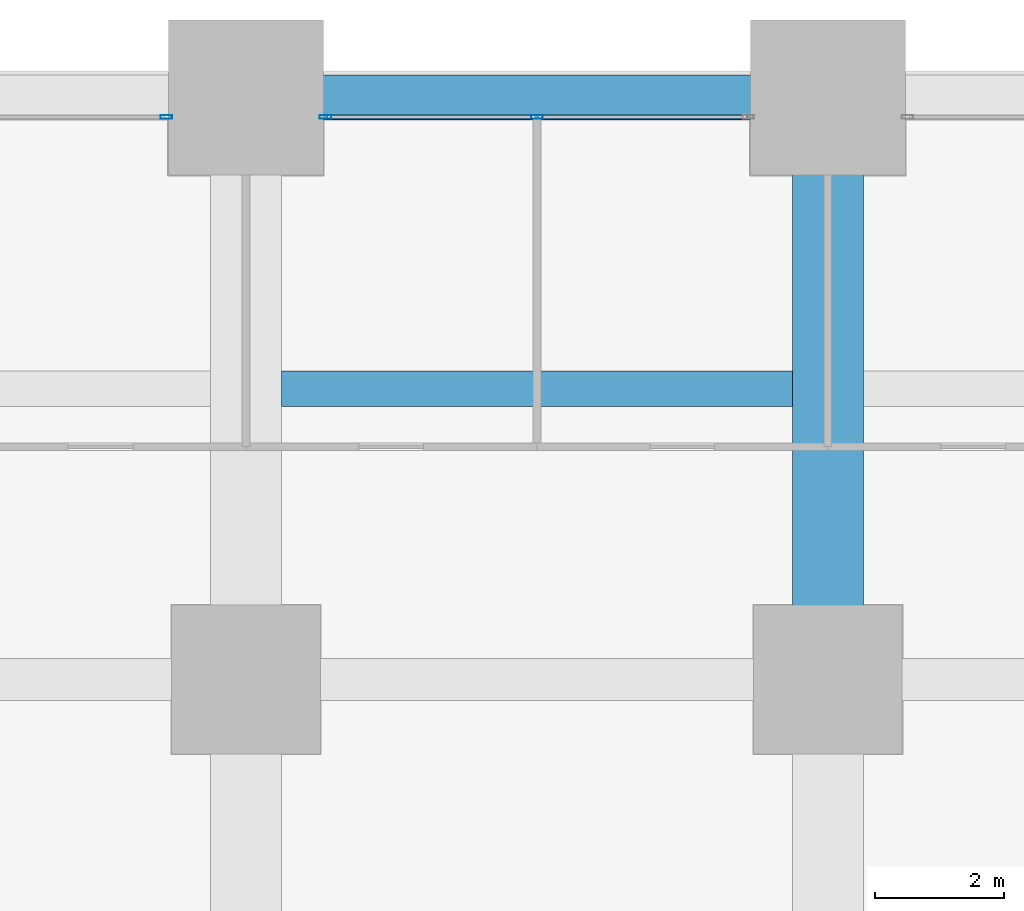
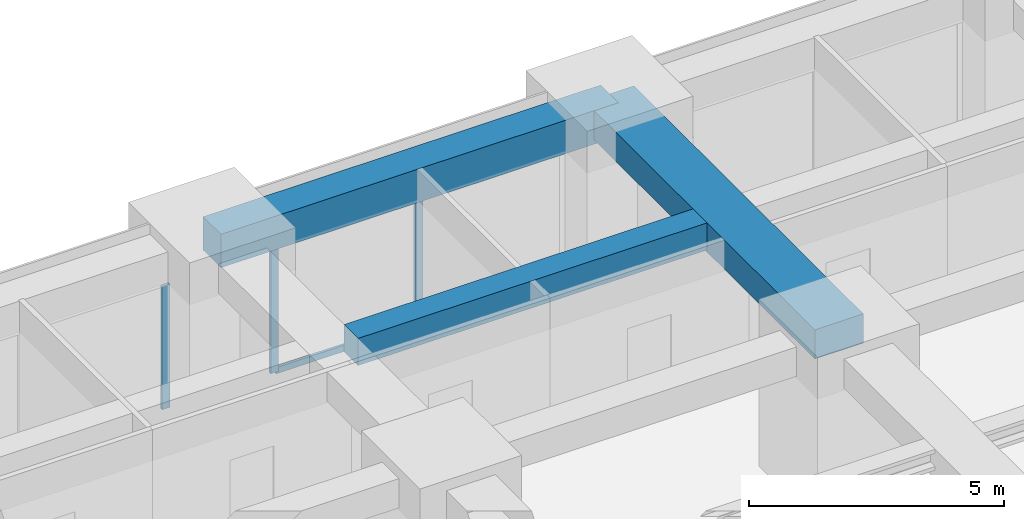
# One storey, part 29 of 44: 4 members, 3 beams, 2 elements without a shape of their own.
"""IFC4 building model written with IfcOpenShell, lengths in metres."""

from ifc_helpers import new_model, si_unit, direction, frame, origin, origin_2d, place, context, subcontext, project, spatial, rectangle, hollow_rectangle, extrude, material, material_profile, profile_set, type_object, element, aggregate, save


model = new_model("IFC4")

# Units and contexts
model_context = context("Model", 3, precision=1e-05, world=origin(), true_north=direction((0.0, 1.0)))
body_context = subcontext(model_context, "Body", "Model", "MODEL_VIEW")
ifc_project = project(units=[si_unit("LENGTHUNIT", "METRE"), si_unit("AREAUNIT", "SQUARE_METRE"), si_unit("VOLUMEUNIT", "CUBIC_METRE"), si_unit("PLANEANGLEUNIT", "RADIAN"), si_unit("MASSUNIT", "GRAM", prefix="KILO")], contexts=[model_context])

# Site, building, storey
site_placement = place(None, origin())
site = spatial("IfcSite", under=ifc_project, at=site_placement, CompositionType="ELEMENT")
building_placement = place(site_placement, origin())
building = spatial("IfcBuilding", under=site, at=building_placement, Name="Zorevar Civic Tower", CompositionType="ELEMENT")
storey_placement = place(building_placement, frame((0.0, 0.0, 35.800048828125)))
storey = spatial("IfcBuildingStorey", under=building, at=storey_placement, Name="L08", CompositionType="ELEMENT", Elevation=35.800048828125)

# Beams
ifc_material_1 = material(Name="Concrete C50/60", Category="concrete")
ifc_material_profile_1 = material_profile(ifc_material_1, rectangle(XDim=1.10009765625, YDim=0.699951171875, at=origin_2d()), Name="RC 1100x700")
ifc_profile_set_1 = profile_set([ifc_material_profile_1], Name="Concrete C50/60")
beam_type_1 = type_object("IfcBeamType", Name="Beam RC 1100x700", PredefinedType="BEAM", material=ifc_profile_set_1)
beam_1_placement = place(storey_placement, frame((27.0, 45.0, 3.39990234375), z_axis=(0.0, 1.0, 0.0), x_axis=(-1.0, 0.0, 0.0)))
element("IfcBeam", 1, at=beam_1_placement, inside=storey, type_object=beam_type_1, Name="Girder L09", PredefinedType="BEAM", context=body_context, shape_type="SweptSolid", body=[
    extrude(rectangle(XDim=1.10009765625, YDim=0.699951171875, at=origin_2d()), origin(), (0.0, 0.0, 1.0), 9.0),
])
ifc_material_2 = material(Name="Concrete C50/60", Category="concrete")
ifc_material_profile_2 = material_profile(ifc_material_2, rectangle(XDim=0.550048828125, YDim=0.64990234375, at=origin_2d()), Name="RC 550x650")
ifc_profile_set_2 = profile_set([ifc_material_profile_2], Name="Concrete C50/60")
beam_type_2 = type_object("IfcBeamType", Name="Beam RC 550x650", PredefinedType="BEAM", material=ifc_profile_set_2)
beam_2_placement = place(storey_placement, frame((18.550048828125, 49.5, 3.425048828125), z_axis=(1.0, 0.0, 0.0), x_axis=(0.0, 1.0, 0.0)))
element("IfcBeam", 2, at=beam_2_placement, inside=storey, type_object=beam_type_2, Name="Secondary beam L09", PredefinedType="BEAM", context=body_context, shape_type="SweptSolid", body=[
    extrude(rectangle(XDim=0.550048828125, YDim=0.64990234375, at=origin_2d()), origin(), (0.0, 0.0, 1.0), 7.89990234375),
])

# Curtain wall, member
ifc_material_3 = material(Name="Dark grey solar-control glass in black aluminium frame", Category="aluminium")
curtain_wall_type = type_object("IfcCurtainWallType", Name="Curtain wall CW2 low zone", PredefinedType="NOTDEFINED", material=ifc_material_3)
curtain_wall_1_placement = place(storey_placement, origin())
curtain_wall_1 = element("IfcCurtainWall", 3, at=curtain_wall_1_placement, inside=storey, type_object=curtain_wall_type, Name="CW2 L08", PredefinedType="NOTDEFINED")
ifc_material_4 = material(Name="Aluminium, black anodised", Category="aluminium")
ifc_material_profile_3 = material_profile(ifc_material_4, hollow_rectangle(XDim=0.06005859375, YDim=0.179931640625, WallThickness=0.00390625, at=origin_2d()), Name="AL 180x60x4")
ifc_profile_set_3 = profile_set([ifc_material_profile_3], Name="Aluminium, black anodised")
member_type_1 = type_object("IfcMemberType", Name="CW2 mullion AL 180x60x4", PredefinedType="MULLION", material=ifc_profile_set_3)
member_1_placement = place(storey_placement, frame((16.77001953125, 53.699951171875, 0.0), z_axis=(0.0, 0.0, 1.0), x_axis=(0.0, 1.0, 0.0)))
member_1 = element("IfcMember", 4, at=member_1_placement, type_object=member_type_1, Name="CW2 mullion 3", PredefinedType="MULLION", context=body_context, shape_type="SweptSolid", body=[
    extrude(hollow_rectangle(XDim=0.06005859375, YDim=0.179931640625, WallThickness=0.00390625, at=origin_2d()), origin(), (0.0, 0.0, 1.0), 2.949951171875),
])
aggregate(curtain_wall_1, [member_1])

# Curtain wall, members
curtain_wall_2_placement = place(storey_placement, origin())
curtain_wall_2 = element("IfcCurtainWall", 5, at=curtain_wall_2_placement, inside=storey, type_object=curtain_wall_type, Name="CW2 L08", PredefinedType="NOTDEFINED")
member_2_placement = place(storey_placement, frame((19.22998046875, 53.699951171875, 0.0), z_axis=(0.0, 0.0, 1.0), x_axis=(0.0, 1.0, 0.0)))
member_2 = element("IfcMember", 6, at=member_2_placement, type_object=member_type_1, Name="CW2 mullion 1", PredefinedType="MULLION", context=body_context, shape_type="SweptSolid", body=[
    extrude(hollow_rectangle(XDim=0.06005859375, YDim=0.179931640625, WallThickness=0.00390625, at=origin_2d()), origin(), (0.0, 0.0, 1.0), 2.949951171875),
])
member_3_placement = place(storey_placement, frame((22.5, 53.699951171875, 0.06005859375), z_axis=(0.0, 0.0, 1.0), x_axis=(0.0, 1.0, 0.0)))
member_3 = element("IfcMember", 7, at=member_3_placement, type_object=member_type_1, Name="CW2 mullion 2", PredefinedType="MULLION", context=body_context, shape_type="SweptSolid", body=[
    extrude(hollow_rectangle(XDim=0.06005859375, YDim=0.179931640625, WallThickness=0.00390625, at=origin_2d()), origin(), (0.0, 0.0, 1.0), 2.889892578125),
])
ifc_material_5 = material(Name="Aluminium, black anodised", Category="aluminium")
ifc_material_profile_4 = material_profile(ifc_material_5, hollow_rectangle(XDim=0.06005859375, YDim=0.14990234375, WallThickness=0.00390625, at=origin_2d()), Name="AL 150x60x4")
ifc_profile_set_4 = profile_set([ifc_material_profile_4], Name="Aluminium, black anodised")
member_type_2 = type_object("IfcMemberType", Name="CW2 transom AL 150x60x4", PredefinedType="USERDEFINED", material=ifc_profile_set_4)
member_4_placement = place(storey_placement, frame((19.260009765625, 53.699951171875, 0.030029296875), z_axis=(1.0, 0.0, 0.0), x_axis=(0.0, 1.0, 0.0)))
member_4 = element("IfcMember", 8, at=member_4_placement, type_object=member_type_2, Name="CW2 sill transom", ObjectType="TRANSOM", PredefinedType="USERDEFINED", context=body_context, shape_type="SweptSolid", body=[
    extrude(hollow_rectangle(XDim=0.06005859375, YDim=0.14990234375, WallThickness=0.00390625, at=origin_2d()), origin(), (0.0, 0.0, 1.0), 6.47998046875),
])
aggregate(curtain_wall_2, [member_2, member_3, member_4])

# Beam
ifc_material_6 = material(Name="Concrete C50/60", Category="concrete")
ifc_material_profile_5 = material_profile(ifc_material_6, rectangle(XDim=0.699951171875, YDim=0.800048828125, at=origin_2d()), Name="RC 700x800")
ifc_profile_set_5 = profile_set([ifc_material_profile_5], Name="Concrete C50/60")
beam_type_3 = type_object("IfcBeamType", Name="Edge beam RC 700x800", PredefinedType="SPANDREL", material=ifc_profile_set_5)
beam_3_placement = place(storey_placement, frame((18.0, 54.0, 3.349853515625), z_axis=(1.0, 0.0, 0.0), x_axis=(0.0, 1.0, 0.0)))
element("IfcBeam", 9, at=beam_3_placement, inside=storey, type_object=beam_type_3, Name="Edge beam L09", PredefinedType="SPANDREL", context=body_context, shape_type="SweptSolid", body=[
    extrude(rectangle(XDim=0.699951171875, YDim=0.800048828125, at=origin_2d()), origin(), (0.0, 0.0, 1.0), 9.0),
])

save(model, "model.ifc")
